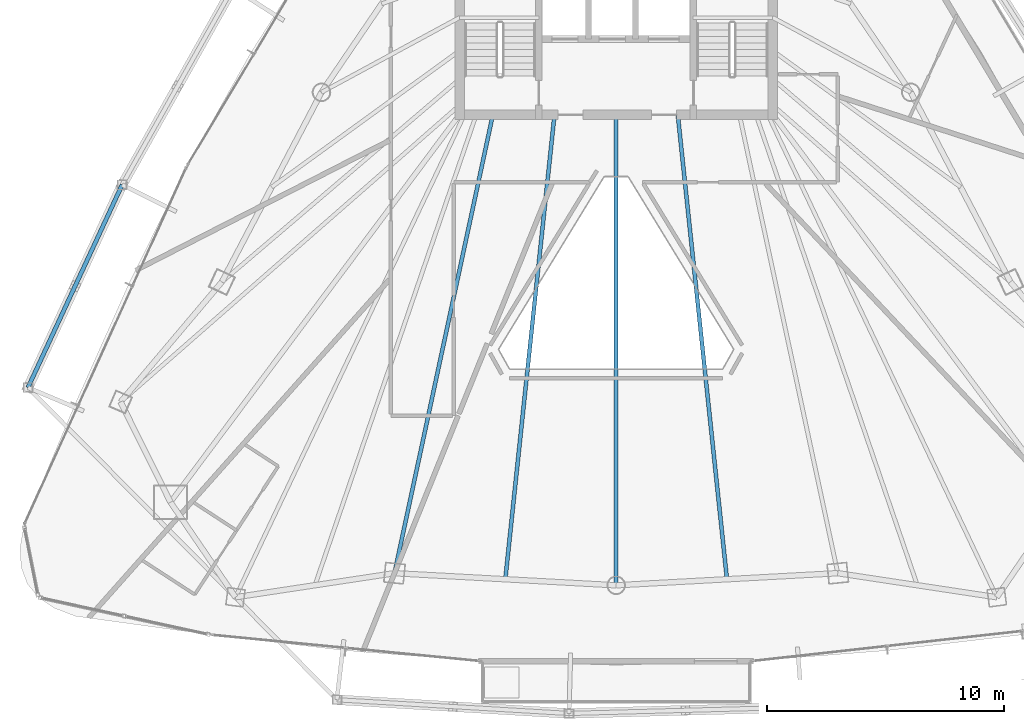
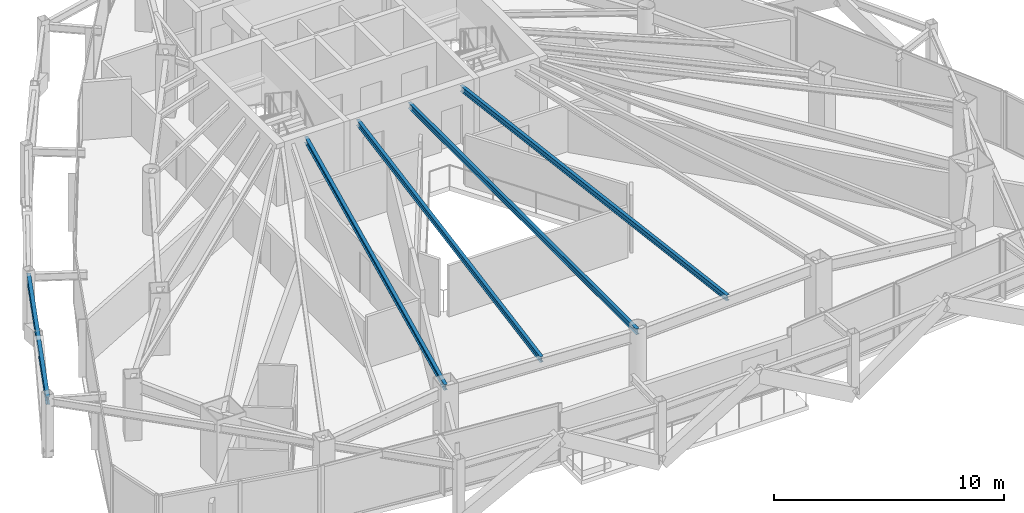
# One storey, part 9 of 31: 5 beams.
"""IFC4 building model written with IfcOpenShell, lengths in metres."""

from ifc_helpers import new_model, si_unit, direction, frame, origin, origin_2d, place, context, subcontext, project, spatial, i_section, extrude, material, material_profile, profile_set, type_object, element, save


model = new_model("IFC4")

# Units and contexts
model_context = context("Model", 3, precision=1e-05, world=origin(), true_north=direction((0.0, 1.0)))
body_context = subcontext(model_context, "Body", "Model", "MODEL_VIEW")
ifc_project = project(units=[si_unit("LENGTHUNIT", "METRE"), si_unit("AREAUNIT", "SQUARE_METRE"), si_unit("VOLUMEUNIT", "CUBIC_METRE"), si_unit("PLANEANGLEUNIT", "RADIAN"), si_unit("MASSUNIT", "GRAM", prefix="KILO")], contexts=[model_context])

# Site, building, storey
site_placement = place(None, origin())
site = spatial("IfcSite", under=ifc_project, at=site_placement, CompositionType="ELEMENT")
building_placement = place(site_placement, origin())
building = spatial("IfcBuilding", under=site, at=building_placement, Name="Orvanel Arch Residences", CompositionType="ELEMENT")
storey_placement = place(building_placement, frame((0.0, 0.0, 150.64990234375)))
storey = spatial("IfcBuildingStorey", under=building, at=storey_placement, Name="L42", CompositionType="ELEMENT", Elevation=150.64990234375)

# Beams
ifc_material = material(Name="Structural steel AS/NZS 3679.1 Grade 300 (300 MPa)", Category="steel")
ifc_material_profile_1 = material_profile(ifc_material, i_section(OverallWidth=0.1650390625, OverallDepth=0.303955078125, WebThickness=0.006103515625, FlangeThickness=0.01025390625, at=origin_2d()), Name="310UB40.4")
ifc_profile_set_1 = profile_set([ifc_material_profile_1], Name="Structural steel AS/NZS 3679.1 Grade 300 (300 MPa)")
beam_type_1 = type_object("IfcBeamType", Name="BJ-310UB", PredefinedType="JOIST", material=ifc_profile_set_1)
beam_1_placement = place(storey_placement, frame((27.800048828125, 26.699951171875, 2.908203125), z_axis=(-0.209808012425, -0.977742603103, 0.0), x_axis=(0.977742603103, -0.209808012425, 0.0)))
element("IfcBeam", 1, at=beam_1_placement, inside=storey, type_object=beam_type_1, Name="L42 SW Wing Floor Joist", PredefinedType="JOIST", context=body_context, shape_type="SweptSolid", body=[
    extrude(i_section(OverallWidth=0.1650390625, OverallDepth=0.303955078125, WebThickness=0.006103515625, FlangeThickness=0.01025390625, at=origin_2d()), origin(), (0.0, 0.0, 1.0), 19.785400390625),
])
beam_2_placement = place(storey_placement, frame((33.0, 26.699951171875, 2.908203125), z_axis=(0.0, -1.0, 0.0), x_axis=(1.0, 0.0, 0.0)))
element("IfcBeam", 2, at=beam_2_placement, inside=storey, type_object=beam_type_1, Name="L42 SSW Wing Floor Joist", PredefinedType="JOIST", context=body_context, shape_type="SweptSolid", body=[
    extrude(i_section(OverallWidth=0.1650390625, OverallDepth=0.303955078125, WebThickness=0.006103515625, FlangeThickness=0.01025390625, at=origin_2d()), origin(), (0.0, 0.0, 1.0), 19.85595703125),
])
for number, where, z_axis, x_axis, name in (
    (3, (30.39990234375, 26.699951171875, 2.908203125), (-0.105277340935, -0.994442900063, 0.0), (0.994442900063, -0.105277340935, 0.0), "L42 WSW2 Wing Floor Joist"),
    (4, (35.60009765625, 26.699951171875, 2.908203125), (0.105277340935, -0.994442900063, 0.0), (0.994442900063, 0.105277340935, 0.0), "L42 ESE2 Wing Floor Joist"),
):
    element("IfcBeam", number, at=place(storey_placement, frame(where, z_axis=z_axis, x_axis=x_axis)), inside=storey, type_object=beam_type_1, Name=name, PredefinedType="JOIST", context=body_context, shape_type="SweptSolid", body=[
        extrude(i_section(OverallWidth=0.1650390625, OverallDepth=0.303955078125, WebThickness=0.006103515625, FlangeThickness=0.01025390625, at=origin_2d()), origin(), (0.0, 0.0, 1.0), 19.70947265625),
    ])
ifc_material_profile_2 = material_profile(ifc_material, i_section(OverallWidth=0.177978515625, OverallDepth=0.406005859375, WebThickness=0.0078125, FlangeThickness=0.0126953125, at=origin_2d()), Name="410UB59.7")
ifc_profile_set_2 = profile_set([ifc_material_profile_2], Name="Structural steel AS/NZS 3679.1 Grade 300 (300 MPa)")
beam_type_2 = type_object("IfcBeamType", Name="OB-410UB-EXT", PredefinedType="SPANDREL", material=ifc_profile_set_2)
beam_3_placement = place(storey_placement, frame((12.159912109375, 23.738037109375, 2.857177734375), z_axis=(-0.421274831132, -0.906933027657, 0.0), x_axis=(0.906933027657, -0.421274831132, 0.0)))
element("IfcBeam", 5, at=beam_3_placement, inside=storey, type_object=beam_type_2, Name="L42 Outer Perimeter Floor Ring Beam 03", PredefinedType="SPANDREL", context=body_context, shape_type="SweptSolid", body=[
    extrude(i_section(OverallWidth=0.177978515625, OverallDepth=0.406005859375, WebThickness=0.0078125, FlangeThickness=0.0126953125, at=origin_2d()), origin(), (0.0, 0.0, 1.0), 9.4306640625),
])

save(model, "model.ifc")
